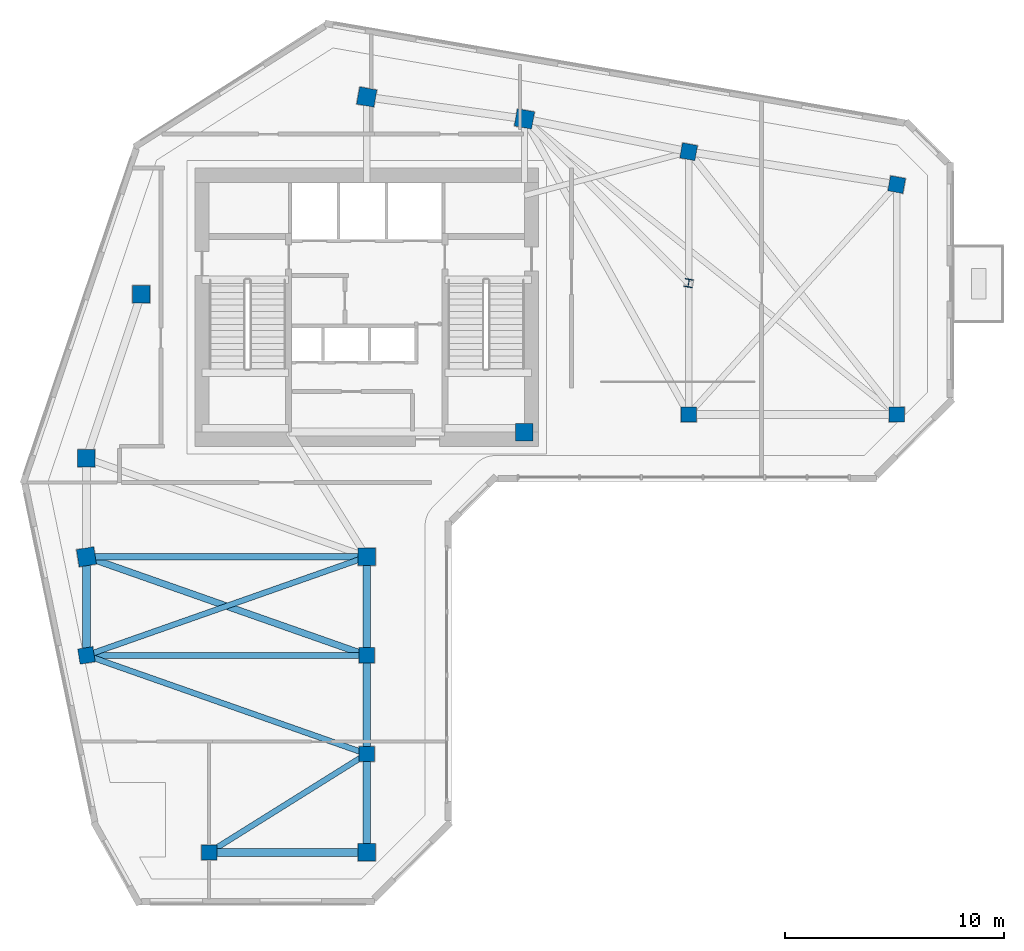
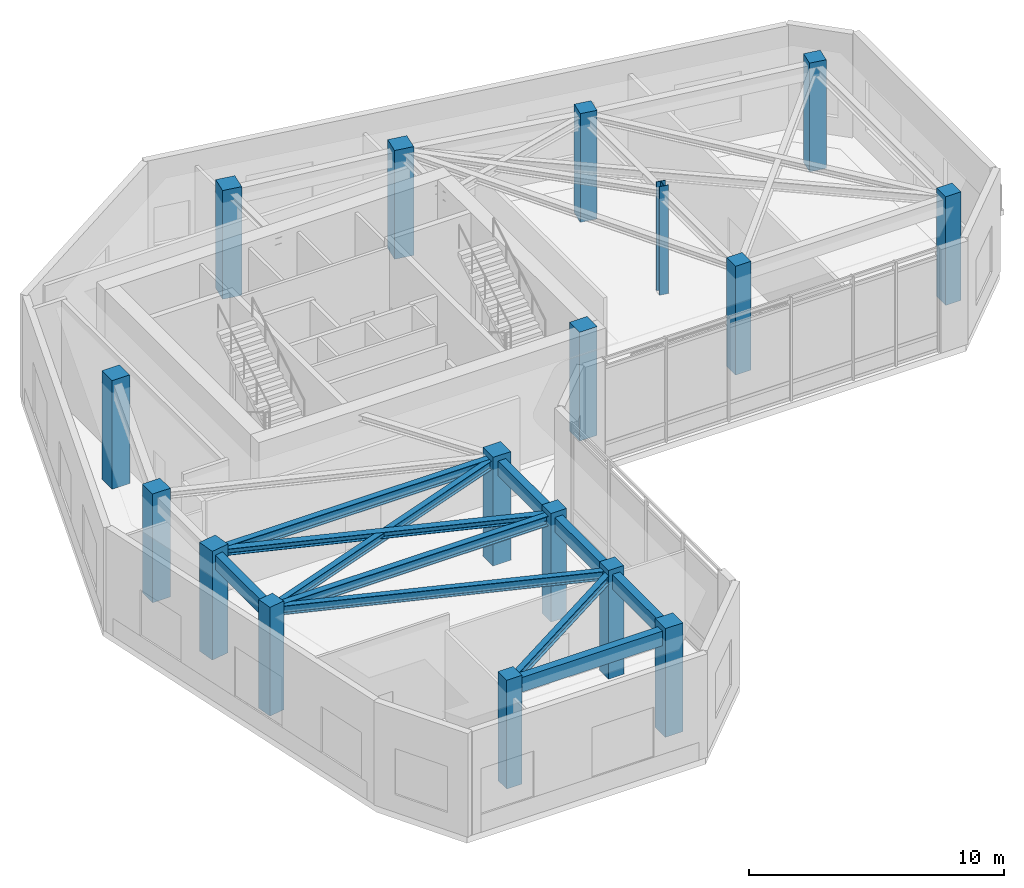
# One storey, part 1 of 10: 17 columns, 11 beams.
"""IFC4 building model written with IfcOpenShell, lengths in metres."""

from ifc_helpers import new_model, si_unit, direction, frame, origin, origin_2d, place, context, subcontext, project, spatial, rectangle, i_section, extrude, source, transform, mapped, material, material_profile, profile_set, type_object, element, save


model = new_model("IFC4")

# Units and contexts
model_context = context("Model", 3, precision=1e-05, world=origin(), true_north=direction((0.0, 1.0)))
body_context = subcontext(model_context, "Body", "Model", "MODEL_VIEW")
ifc_project = project(units=[si_unit("LENGTHUNIT", "METRE"), si_unit("AREAUNIT", "SQUARE_METRE"), si_unit("VOLUMEUNIT", "CUBIC_METRE"), si_unit("PLANEANGLEUNIT", "RADIAN"), si_unit("MASSUNIT", "GRAM", prefix="KILO")], contexts=[model_context])

# Site, building, storey
site_placement = place(None, origin())
site = spatial("IfcSite", under=ifc_project, at=site_placement, CompositionType="ELEMENT")
building_placement = place(site_placement, origin())
building = spatial("IfcBuilding", under=site, at=building_placement, Name="Calvemar Wedge Station Tower", CompositionType="ELEMENT")
storey_placement = place(building_placement, frame((0.0, 0.0, 178.199951171875)))
storey = spatial("IfcBuildingStorey", under=building, at=storey_placement, Name="L44", CompositionType="ELEMENT", Elevation=178.199951171875)

# Columns
ifc_material_1 = material(Name="Concrete C50", Category="concrete")
ifc_material_profile_1 = material_profile(ifc_material_1, rectangle(XDim=0.800048828125, YDim=0.800048828125, at=origin_2d()), Name="RC800x800")
ifc_profile_set_1 = profile_set([ifc_material_profile_1], Name="Concrete C50")
column_type_1 = type_object("IfcColumnType", Name="COL-C6-800", PredefinedType="COLUMN", material=ifc_profile_set_1)
shared_shape_1 = source(origin(), body_context, "Body", "SweptSolid", [
    extrude(rectangle(XDim=0.800048828125, YDim=0.800048828125, at=origin_2d()), origin(), (0.0, 0.0, 1.0), 5.199951171875),
])
for number, where, z_axis, x_axis, name in (
    (1, (11.0, 33.0, 0.0), (0.0, 0.0, 1.0), (1.0, 0.0, 0.0), "Storey L44 Column T-NW1"),
    (2, (13.5, 40.5, 0.0), (0.0, 0.0, 1.0), (1.0, 0.0, 0.0), "Storey L44 Column T-NW2"),
    (3, (23.800048828125, 49.5, 0.0), (0.0, 0.0, 1.0), (0.984195607969, -0.17708474032, 0.0), "Storey L44 Column T-N1"),
    (4, (31.0, 48.5, 0.0), (0.0, 0.0, 1.0), (0.984195607969, -0.17708474032, 0.0), "Storey L44 Column T-N2"),
    (5, (31.0, 34.199951171875, 0.0), (0.0, 0.0, 1.0), (1.0, 0.0, 0.0), "Storey L44 Column T-NL1"),
    (6, (11.0, 28.5, 0.0), (0.0, 0.0, 1.0), (0.158158067254, -0.987413806751, 0.0), "Storey L44 Column T-SW1"),
    (7, (23.800048828125, 28.5, 0.0), (0.0, 0.0, 1.0), (1.0, 0.0, 0.0), "Storey L44 Column T-SE1"),
    (8, (23.800048828125, 15.0, 0.0), (0.0, 0.0, 1.0), (1.0, 0.0, 0.0), "Storey L44 Column T-SE4"),
):
    element("IfcColumn", number, at=place(storey_placement, frame(where, z_axis=z_axis, x_axis=x_axis)), inside=storey, type_object=column_type_1, Name=name, PredefinedType="COLUMN", context=body_context, shape_type="MappedRepresentation", body=[
        mapped(shared_shape_1, transform((0.0, 0.0, 0.0), scale=1.0)),
    ])
ifc_material_profile_2 = material_profile(ifc_material_1, rectangle(XDim=0.699951171875, YDim=0.699951171875, at=origin_2d()), Name="RC700x700")
ifc_profile_set_2 = profile_set([ifc_material_profile_2], Name="Concrete C50")
column_type_2 = type_object("IfcColumnType", Name="COL-C7-700", PredefinedType="COLUMN", material=ifc_profile_set_2)
shared_shape_2 = source(origin(), body_context, "Body", "SweptSolid", [
    extrude(rectangle(XDim=0.699951171875, YDim=0.699951171875, at=origin_2d()), origin(), (0.0, 0.0, 1.0), 5.199951171875),
])
for number, where, z_axis, x_axis, name in (
    (9, (38.5, 47.0, 0.0), (0.0, 0.0, 1.0), (0.984195607969, -0.17708474032, 0.0), "Storey L44 Column T-NU3"),
    (10, (48.0, 45.5, 0.0), (0.0, 0.0, 1.0), (0.984195607969, -0.17708474032, 0.0), "Storey L44 Column T-NU4"),
    (11, (38.5, 35.0, 0.0), (0.0, 0.0, 1.0), (1.0, 0.0, 0.0), "Storey L44 Column T-NL2"),
    (12, (48.0, 35.0, 0.0), (0.0, 0.0, 1.0), (1.0, 0.0, 0.0), "Storey L44 Column T-NL3"),
    (13, (11.0, 24.0, 0.0), (0.0, 0.0, 1.0), (0.158158067254, -0.987413806751, 0.0), "Storey L44 Column T-SW2"),
    (14, (23.800048828125, 24.0, 0.0), (0.0, 0.0, 1.0), (1.0, 0.0, 0.0), "Storey L44 Column T-SE2"),
    (15, (23.800048828125, 19.5, 0.0), (0.0, 0.0, 1.0), (1.0, 0.0, 0.0), "Storey L44 Column T-SE3"),
    (16, (16.60009765625, 15.0, 0.0), (0.0, 0.0, 1.0), (1.0, 0.0, 0.0), "Storey L44 Column T-SM1"),
):
    element("IfcColumn", number, at=place(storey_placement, frame(where, z_axis=z_axis, x_axis=x_axis)), inside=storey, type_object=column_type_2, Name=name, PredefinedType="COLUMN", context=body_context, shape_type="MappedRepresentation", body=[
        mapped(shared_shape_2, transform((0.0, 0.0, 0.0), scale=1.0)),
    ])
ifc_material_2 = material(Name="Structural steel ASTM A572 Grade 50", Category="steel")
ifc_material_profile_3 = material_profile(ifc_material_2, i_section(OverallWidth=0.3740234375, OverallDepth=0.3720703125, WebThickness=0.016357421875, FlangeThickness=0.026123046875, FilletRadius=0.014892578125, at=origin_2d()), Name="W360x196")
ifc_profile_set_3 = profile_set([ifc_material_profile_3], Name="Structural steel ASTM A572 Grade 50")
column_type_3 = type_object("IfcColumnType", Name="COL-STL-W360", PredefinedType="COLUMN", material=ifc_profile_set_3)
shared_shape_3 = source(origin(), body_context, "Body", "SweptSolid", [
    extrude(i_section(OverallWidth=0.3740234375, OverallDepth=0.3720703125, WebThickness=0.016357421875, FlangeThickness=0.026123046875, FilletRadius=0.014892578125, at=origin_2d()), origin(), (0.0, 0.0, 1.0), 5.199951171875),
])
column_placement = place(storey_placement, frame((38.5, 41.0, 0.0), z_axis=(0.0, 0.0, 1.0), x_axis=(0.984195607969, -0.17708474032, 0.0)))
element("IfcColumn", 17, at=column_placement, inside=storey, type_object=column_type_3, Name="Storey L44 Column T-NTIP-B", PredefinedType="COLUMN", context=body_context, shape_type="MappedRepresentation", body=[
    mapped(shared_shape_3, transform((0.0, 0.0, 0.0), scale=1.0)),
])

# Beams
ifc_material_profile_4 = material_profile(ifc_material_2, i_section(OverallWidth=0.304931640625, OverallDepth=0.30810546875, WebThickness=0.010009765625, FlangeThickness=0.015380859375, FilletRadius=0.014892578125, at=origin_2d()), Name="W310x97")
ifc_profile_set_4 = profile_set([ifc_material_profile_4], Name="Structural steel ASTM A572 Grade 50")
beam_type_1 = type_object("IfcBeamType", Name="BM-J6-W310", PredefinedType="JOIST", material=ifc_profile_set_4)
shared_shape_4 = source(origin(), body_context, "Body", "SweptSolid", [
    extrude(i_section(OverallWidth=0.304931640625, OverallDepth=0.30810546875, WebThickness=0.010009765625, FlangeThickness=0.015380859375, FilletRadius=0.014892578125, at=origin_2d()), origin(), (0.0, 0.0, 1.0), 13.568115234375),
])
beam_1_placement = place(storey_placement, frame((11.0, 28.5, 4.796142578125), z_axis=(0.943398221169, -0.331662171939, 0.0), x_axis=(0.331662171939, 0.943398221169, 0.0)))
element("IfcBeam", 18, at=beam_1_placement, inside=storey, type_object=beam_type_1, Name="Storey L44 Floor Beam T-SW1-T-SE2", PredefinedType="JOIST", context=body_context, shape_type="MappedRepresentation", body=[
    mapped(shared_shape_4, transform((0.0, 0.0, 0.0), scale=1.0)),
])
ifc_material_profile_5 = material_profile(ifc_material_2, i_section(OverallWidth=0.260986328125, OverallDepth=0.419921875, WebThickness=0.01171875, FlangeThickness=0.019287109375, FilletRadius=0.012939453125, at=origin_2d()), Name="W410x114")
ifc_profile_set_5 = profile_set([ifc_material_profile_5], Name="Structural steel ASTM A572 Grade 50")
beam_type_2 = type_object("IfcBeamType", Name="BM-J2-W410H", PredefinedType="JOIST", material=ifc_profile_set_5)
shared_shape_5 = source(origin(), body_context, "Body", "SweptSolid", [
    extrude(i_section(OverallWidth=0.260986328125, OverallDepth=0.419921875, WebThickness=0.01171875, FlangeThickness=0.019287109375, FilletRadius=0.012939453125, at=origin_2d()), origin(), (0.0, 0.0, 1.0), 13.568115234375),
])
for number, where, z_axis, x_axis, name in (
    (19, (23.800048828125, 28.5, 4.739990234375), (-0.943398221169, -0.331662171939, 0.0), (0.331662171939, -0.943398221169, 0.0), "Storey L44 Floor Beam T-SE1-T-SW2"),
    (20, (11.0, 24.0, 4.739990234375), (0.943398221169, -0.331662171939, 0.0), (0.331662171939, 0.943398221169, 0.0), "Storey L44 Floor Beam T-SW2-T-SE3"),
):
    element("IfcBeam", number, at=place(storey_placement, frame(where, z_axis=z_axis, x_axis=x_axis)), inside=storey, type_object=beam_type_2, Name=name, PredefinedType="JOIST", context=body_context, shape_type="MappedRepresentation", body=[
        mapped(shared_shape_5, transform((0.0, 0.0, 0.0), scale=1.0)),
    ])
shared_shape_6 = source(origin(), body_context, "Body", "SweptSolid", [
    extrude(i_section(OverallWidth=0.260986328125, OverallDepth=0.419921875, WebThickness=0.01171875, FlangeThickness=0.019287109375, FilletRadius=0.012939453125, at=origin_2d()), origin(), (0.0, 0.0, 1.0), 8.490478515625),
])
beam_2_placement = place(storey_placement, frame((23.800048828125, 19.5, 4.739990234375), z_axis=(-0.847996688584, -0.530001524668, 0.0), x_axis=(0.530001524668, -0.847996688584, 0.0)))
element("IfcBeam", 21, at=beam_2_placement, inside=storey, type_object=beam_type_2, Name="Storey L44 Floor Beam T-SE3-T-SM1", PredefinedType="JOIST", context=body_context, shape_type="MappedRepresentation", body=[
    mapped(shared_shape_6, transform((0.0, 0.0, 0.0), scale=1.0)),
])
ifc_material_profile_6 = material_profile(ifc_material_1, rectangle(XDim=0.35009765625, YDim=0.699951171875, at=origin_2d()), Name="RC350x700")
ifc_profile_set_6 = profile_set([ifc_material_profile_6], Name="Concrete C50")
beam_type_3 = type_object("IfcBeamType", Name="BM-SP2-700", PredefinedType="SPANDREL", material=ifc_profile_set_6)
shared_shape_7 = source(origin(), body_context, "Body", "SweptSolid", [
    extrude(rectangle(XDim=0.35009765625, YDim=0.699951171875, at=origin_2d()), origin(), (0.0, 0.0, 1.0), 4.5),
])
for number, where, z_axis, x_axis, name in (
    (22, (11.0, 28.5, 4.60009765625), (0.0, -1.0, 0.0), (1.0, 0.0, 0.0), "Storey L44 Spandrel T-SW1-T-SW2"),
    (23, (23.800048828125, 28.5, 4.60009765625), (0.0, -1.0, 0.0), (1.0, 0.0, 0.0), "Storey L44 Spandrel T-SE1-T-SE2"),
    (24, (23.800048828125, 24.0, 4.60009765625), (0.0, -1.0, 0.0), (1.0, 0.0, 0.0), "Storey L44 Spandrel T-SE2-T-SE3"),
    (25, (23.800048828125, 19.5, 4.60009765625), (0.0, -1.0, 0.0), (1.0, 0.0, 0.0), "Storey L44 Spandrel T-SE3-T-SE4"),
):
    element("IfcBeam", number, at=place(storey_placement, frame(where, z_axis=z_axis, x_axis=x_axis)), inside=storey, type_object=beam_type_3, Name=name, PredefinedType="SPANDREL", context=body_context, shape_type="MappedRepresentation", body=[
        mapped(shared_shape_7, transform((0.0, 0.0, 0.0), scale=1.0)),
    ])
shared_shape_8 = source(origin(), body_context, "Body", "SweptSolid", [
    extrude(rectangle(XDim=0.35009765625, YDim=0.699951171875, at=origin_2d()), origin(), (0.0, 0.0, 1.0), 7.199951171875),
])
beam_3_placement = place(storey_placement, frame((16.60009765625, 15.0, 4.60009765625), z_axis=(1.0, 0.0, 0.0), x_axis=(0.0, 1.0, 0.0)))
element("IfcBeam", 26, at=beam_3_placement, inside=storey, type_object=beam_type_3, Name="Storey L44 Spandrel T-SM1-T-SE4", PredefinedType="SPANDREL", context=body_context, shape_type="MappedRepresentation", body=[
    mapped(shared_shape_8, transform((0.0, 0.0, 0.0), scale=1.0)),
])
ifc_material_profile_7 = material_profile(ifc_material_2, i_section(OverallWidth=0.283935546875, OverallDepth=0.47607421875, WebThickness=0.014892578125, FlangeThickness=0.02392578125, FilletRadius=0.014892578125, at=origin_2d()), Name="W460x158")
ifc_profile_set_7 = profile_set([ifc_material_profile_7], Name="Structural steel ASTM A572 Grade 50")
beam_type_4 = type_object("IfcBeamType", Name="BM-SB5-W460H", PredefinedType="BEAM", material=ifc_profile_set_7)
shared_shape_9 = source(origin(), body_context, "Body", "SweptSolid", [
    extrude(i_section(OverallWidth=0.283935546875, OverallDepth=0.47607421875, WebThickness=0.014892578125, FlangeThickness=0.02392578125, FilletRadius=0.014892578125, at=origin_2d()), origin(), (0.0, 0.0, 1.0), 12.800048828125),
])
for number, where, z_axis, x_axis, name in (
    (27, (11.0, 28.5, 4.712158203125), (1.0, 0.0, 0.0), (0.0, 1.0, 0.0), "Storey L44 Floor Beam T-SW1-T-SE1"),
    (28, (11.0, 24.0, 4.712158203125), (1.0, 0.0, 0.0), (0.0, 1.0, 0.0), "Storey L44 Floor Beam T-SW2-T-SE2"),
):
    element("IfcBeam", number, at=place(storey_placement, frame(where, z_axis=z_axis, x_axis=x_axis)), inside=storey, type_object=beam_type_4, Name=name, PredefinedType="BEAM", context=body_context, shape_type="MappedRepresentation", body=[
        mapped(shared_shape_9, transform((0.0, 0.0, 0.0), scale=1.0)),
    ])

save(model, "model.ifc")
